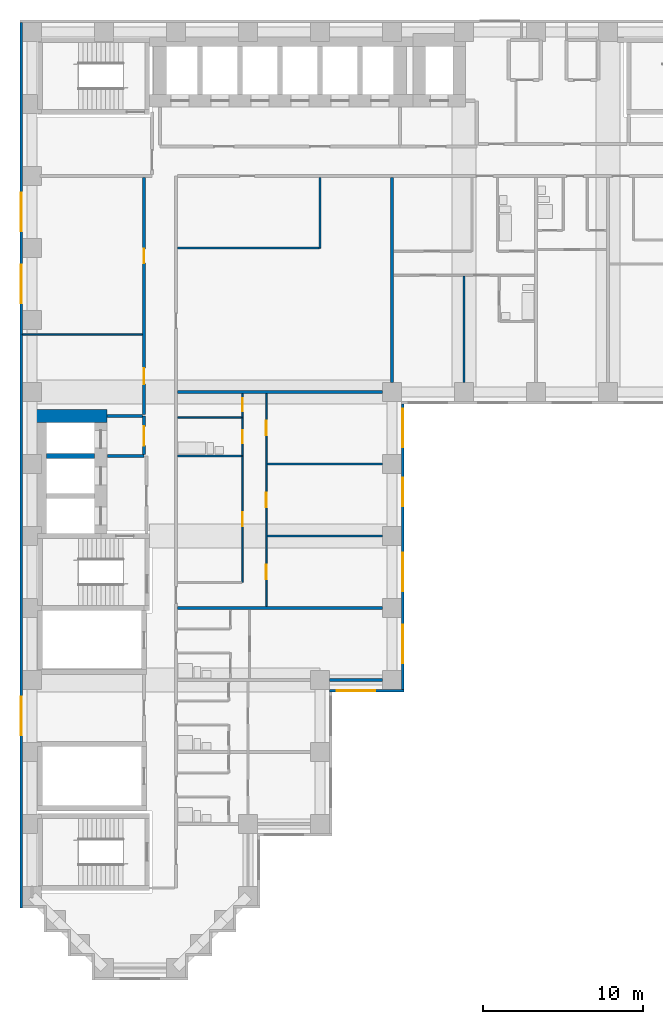
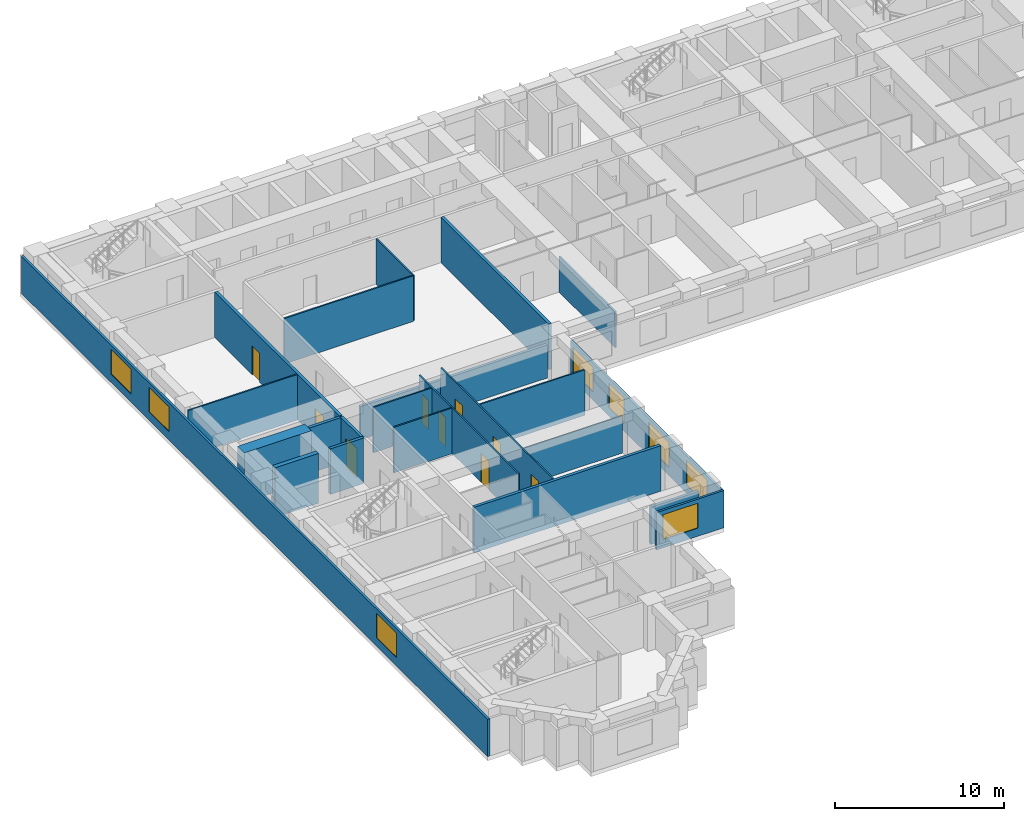
# One storey, part 4 of 11: 23 walls, 9 doors, 8 windows, 17 openings.
"""IFC4 building model written with IfcOpenShell, lengths in metres."""

from ifc_helpers import new_model, si_unit, direction, frame, frame_2d, origin, place, context, subcontext, project, spatial, rectangle, extrude, material, layer, layer_set, type_object, element, fill, save


model = new_model("IFC4")

# Units and contexts
model_context = context("Model", 3, precision=1e-05, world=origin(), true_north=direction((0.0, 1.0)))
body_context = subcontext(model_context, "Body", "Model", "MODEL_VIEW")
ifc_project = project(units=[si_unit("LENGTHUNIT", "METRE"), si_unit("AREAUNIT", "SQUARE_METRE"), si_unit("VOLUMEUNIT", "CUBIC_METRE"), si_unit("PLANEANGLEUNIT", "RADIAN"), si_unit("MASSUNIT", "GRAM", prefix="KILO")], contexts=[model_context])

# Site, building, storey
site_placement = place(None, origin())
site = spatial("IfcSite", under=ifc_project, at=site_placement, CompositionType="ELEMENT")
building_placement = place(site_placement, origin())
building = spatial("IfcBuilding", under=site, at=building_placement, Name="Firuza Court", CompositionType="ELEMENT")
storey_placement = place(building_placement, frame((0.0, 0.0, 79.39990234375)))
storey = spatial("IfcBuildingStorey", under=building, at=storey_placement, Name="L19", CompositionType="ELEMENT", Elevation=79.39990234375)

# Walls
ifc_material_1 = material(Name="Moisture-resistant gypsum board partition")
ifc_layer_1 = layer(ifc_material_1, 0.10009765625)
ifc_layer_set_1 = layer_set([ifc_layer_1], Name="Moisture-resistant gypsum board partition")
wall_type_1 = type_object("IfcWallType", Name="Bathroom partition 100", PredefinedType="PLUMBINGWALL", material=ifc_layer_set_1)
for number, where, z_axis, x_axis, name in (
    (1, (9.10009765625, 32.0, 0.0), (0.0, 0.0, 1.0), (1.0, 0.0, 0.0), "Bathroom partition 100 L19"),
    (2, (9.10009765625, 34.39990234375, 0.0), (0.0, 0.0, 1.0), (1.0, 0.0, 0.0), "Bathroom partition 100 L19"),
):
    element("IfcWall", number, at=place(storey_placement, frame(where, z_axis=z_axis, x_axis=x_axis)), inside=storey, type_object=wall_type_1, Name=name, PredefinedType="PLUMBINGWALL", context=body_context, shape_type="SweptSolid", body=[
        extrude(rectangle(XDim=4.0, YDim=0.10009765625, at=frame_2d((2.0, 0.0))), origin(), (0.0, 0.0, 1.0), 3.300048828125),
    ])
ifc_material_2 = material(Name="Concrete C60/75", Category="concrete")
ifc_layer_2 = layer(ifc_material_2, 0.300048828125)
ifc_layer_set_2 = layer_set([ifc_layer_2], Name="Concrete C60/75")
wall_type_2 = type_object("IfcWallType", Name="Core wall 300 C60/75", PredefinedType="SHEAR", material=ifc_layer_set_2)
wall_1_placement = place(storey_placement, frame((0.89990234375, 32.0, -0.2998046875), z_axis=(0.0, 0.0, 1.0), x_axis=(1.0, 0.0, 0.0)))
element("IfcWall", 3, at=wall_1_placement, inside=storey, type_object=wall_type_2, Name="Core wall lift shaft L19", PredefinedType="SHEAR", context=body_context, shape_type="SweptSolid", body=[
    extrude(rectangle(XDim=3.0, YDim=0.300048828125, at=frame_2d((1.5, 0.0))), origin(), (0.0, 0.0, 1.0), 3.599853515625),
])
ifc_layer_3 = layer(ifc_material_2, 0.800048828125)
ifc_layer_set_3 = layer_set([ifc_layer_3], Name="Concrete C60/75")
wall_type_3 = type_object("IfcWallType", Name="Core wall 800 C60/75", PredefinedType="SHEAR", material=ifc_layer_set_3)
wall_2_placement = place(storey_placement, frame((0.10009765625, 34.5, -0.2998046875), z_axis=(0.0, 0.0, 1.0), x_axis=(1.0, 0.0, 0.0)))
element("IfcWall", 4, at=wall_2_placement, inside=storey, type_object=wall_type_3, Name="Core wall lift shaft L19", PredefinedType="SHEAR", context=body_context, shape_type="SweptSolid", body=[
    extrude(rectangle(XDim=4.599853515625, YDim=0.800048828125, at=frame_2d((2.2998046875, 0.0))), origin(), (0.0, 0.0, 1.0), 3.599853515625),
])

# Wall, openings, doors
ifc_material_3 = material(Name="Blockwork, plastered both sides", Category="masonry")
ifc_layer_4 = layer(ifc_material_3, 0.199951171875)
ifc_layer_set_4 = layer_set([ifc_layer_4], Name="Blockwork, plastered both sides")
wall_type_4 = type_object("IfcWallType", Name="Corridor wall 200", PredefinedType="PARTITIONING", material=ifc_layer_set_4)
wall_3_placement = place(storey_placement, frame((7.0, 34.60009765625, 0.0), z_axis=(0.0, 0.0, 1.0), x_axis=(0.0, 1.0, 0.0)))
wall_3 = element("IfcWall", 5, at=wall_3_placement, inside=storey, type_object=wall_type_4, Name="Corridor wall 200 L19", PredefinedType="PARTITIONING", context=body_context, shape_type="SweptSolid", body=[
    extrude(rectangle(XDim=14.7998046875, YDim=0.199951171875, at=frame_2d((7.39990234375, 0.0))), origin(), (0.0, 0.0, 1.0), 3.300048828125),
])
opening_1_placement = place(wall_3_placement, frame((1.89990234375, 0.0, 0.0)))
opening_1 = element("IfcOpeningElement", 6, at=opening_1_placement, cuts=wall_3, Name="Opening D19041", PredefinedType="OPENING", context=body_context, shape_type="SweptSolid", body=[
    extrude(rectangle(XDim=1.0, YDim=2.10009765625, at=frame_2d((0.5, 1.050048828125))), frame((0.0, 0.11181640625, 0.0), z_axis=(0.0, -1.0, 0.0), x_axis=(1.0, 0.0, 0.0)), (0.0, 0.0, 1.0), 0.223876953125),
])
opening_2_placement = place(wall_3_placement, frame((9.449951171875, 0.0, 0.0)))
opening_2 = element("IfcOpeningElement", 7, at=opening_2_placement, cuts=wall_3, Name="Opening D19042", PredefinedType="OPENING", context=body_context, shape_type="SweptSolid", body=[
    extrude(rectangle(XDim=0.89990234375, YDim=2.10009765625, at=frame_2d((0.449951171875, 1.050048828125))), frame((0.0, 0.11181640625, 0.0), z_axis=(0.0, -1.0, 0.0), x_axis=(1.0, 0.0, 0.0)), (0.0, 0.0, 1.0), 0.223876953125),
])
ifc_material_4 = material(Name="Timber door leaf in hardwood frame", Category="wood")
door_type_1 = type_object("IfcDoorType", Name="Room door 900 EI 30", OperationType="SINGLE_SWING_LEFT", PredefinedType="DOOR", material=ifc_material_4)
door_1_placement = place(opening_2_placement, origin())
door_1 = element("IfcDoor", 8, at=door_1_placement, inside=storey, type_object=door_type_1, Name="Residents' workroom door", OperationType="SINGLE_SWING_RIGHT", OverallHeight=2.10009765625, OverallWidth=0.89990234375, PredefinedType="DOOR", context=body_context, shape_type="SweptSolid", body=[
    extrude(rectangle(XDim=0.89990234375, YDim=2.10009765625, at=frame_2d((0.449951171875, 1.050048828125))), frame((0.0, 0.02490234375, 0.0), z_axis=(0.0, -1.0, 0.0), x_axis=(1.0, 0.0, 0.0)), (0.0, 0.0, 1.0), 0.050048828125),
])
fill(opening_2, door_1)
ifc_material_5 = material(Name="Timber door leaf in hardwood frame", Category="wood")
door_type_2 = type_object("IfcDoorType", Name="Store door 1000", OperationType="SINGLE_SWING_LEFT", PredefinedType="DOOR", material=ifc_material_5)
door_2_placement = place(opening_1_placement, origin())
door_2 = element("IfcDoor", 9, at=door_2_placement, inside=storey, type_object=door_type_2, Name="Valet store door", OperationType="SINGLE_SWING_LEFT", OverallHeight=2.10009765625, OverallWidth=1.0, PredefinedType="DOOR", context=body_context, shape_type="SweptSolid", body=[
    extrude(rectangle(XDim=1.0, YDim=2.10009765625, at=frame_2d((0.5, 1.050048828125))), frame((0.0, 0.02490234375, 0.0), z_axis=(0.0, -1.0, 0.0), x_axis=(1.0, 0.0, 0.0)), (0.0, 0.0, 1.0), 0.050048828125),
])
fill(opening_1, door_2)

ifc_material_6 = material(Name="Timber stud partition, plasterboard both sides", Category="wood")
ifc_layer_5 = layer(ifc_material_6, 0.10009765625)
ifc_layer_set_5 = layer_set([ifc_layer_5], Name="Timber stud partition, plasterboard both sides")
wall_type_5 = type_object("IfcWallType", Name="Partition wall 100", PredefinedType="PARTITIONING", material=ifc_layer_set_5)
wall_4_placement = place(storey_placement, frame((14.64990234375, 22.60009765625, 0.0), z_axis=(0.0, 0.0, 1.0), x_axis=(0.0, 1.0, 0.0)))
wall_4 = element("IfcWall", 10, at=wall_4_placement, inside=storey, type_object=wall_type_5, Name="Partition wall 100 L19", PredefinedType="PARTITIONING", context=body_context, shape_type="SweptSolid", body=[
    extrude(rectangle(XDim=13.2998046875, YDim=0.10009765625, at=frame_2d((6.64990234375, 0.0))), origin(), (0.0, 0.0, 1.0), 3.300048828125),
])
opening_3_placement = place(wall_4_placement, frame((1.699951171875, 0.0, 0.0)))
opening_3 = element("IfcOpeningElement", 11, at=opening_3_placement, cuts=wall_4, Name="Opening D19035", PredefinedType="OPENING", context=body_context, shape_type="SweptSolid", body=[
    extrude(rectangle(XDim=0.89990234375, YDim=2.10009765625, at=frame_2d((0.449951171875, 1.050048828125))), frame((0.0, 0.06201171875, 0.0), z_axis=(0.0, -1.0, 0.0), x_axis=(1.0, 0.0, 0.0)), (0.0, 0.0, 1.0), 0.1240234375),
])
opening_4_placement = place(wall_4_placement, frame((6.199951171875, 0.0, 0.0)))
opening_4 = element("IfcOpeningElement", 12, at=opening_4_placement, cuts=wall_4, Name="Opening D19036", PredefinedType="OPENING", context=body_context, shape_type="SweptSolid", body=[
    extrude(rectangle(XDim=0.89990234375, YDim=2.10009765625, at=frame_2d((0.449951171875, 1.050048828125))), frame((0.0, 0.06201171875, 0.0), z_axis=(0.0, -1.0, 0.0), x_axis=(1.0, 0.0, 0.0)), (0.0, 0.0, 1.0), 0.1240234375),
])
opening_5_placement = place(wall_4_placement, frame((10.699951171875, 0.0, 0.0)))
opening_5 = element("IfcOpeningElement", 13, at=opening_5_placement, cuts=wall_4, Name="Opening D19037", PredefinedType="OPENING", context=body_context, shape_type="SweptSolid", body=[
    extrude(rectangle(XDim=0.89990234375, YDim=2.10009765625, at=frame_2d((0.449951171875, 1.050048828125))), frame((0.0, 0.06201171875, 0.0), z_axis=(0.0, -1.0, 0.0), x_axis=(1.0, 0.0, 0.0)), (0.0, 0.0, 1.0), 0.1240234375),
])
ifc_material_7 = material(Name="Timber door leaf in hardwood frame", Category="wood")
door_type_3 = type_object("IfcDoorType", Name="Room door 900", OperationType="SINGLE_SWING_LEFT", PredefinedType="DOOR", material=ifc_material_7)
door_3_placement = place(opening_3_placement, frame((0.89990234375, 0.0, 0.0), z_axis=(0.0, 0.0, 1.0), x_axis=(-1.0, 0.0, 0.0)))
door_3 = element("IfcDoor", 14, at=door_3_placement, inside=storey, type_object=door_type_3, Name="Living room door", OperationType="SINGLE_SWING_RIGHT", OverallHeight=2.10009765625, OverallWidth=0.89990234375, PredefinedType="DOOR", context=body_context, shape_type="SweptSolid", body=[
    extrude(rectangle(XDim=0.89990234375, YDim=2.10009765625, at=frame_2d((0.449951171875, 1.050048828125))), frame((0.0, 0.02490234375, 0.0), z_axis=(0.0, -1.0, 0.0), x_axis=(1.0, 0.0, 0.0)), (0.0, 0.0, 1.0), 0.050048828125),
])
fill(opening_3, door_3)
door_4_placement = place(opening_4_placement, frame((0.89990234375, 0.0, 0.0), z_axis=(0.0, 0.0, 1.0), x_axis=(-1.0, 0.0, 0.0)))
door_4 = element("IfcDoor", 15, at=door_4_placement, inside=storey, type_object=door_type_3, Name="Bedroom door", OperationType="SINGLE_SWING_RIGHT", OverallHeight=2.10009765625, OverallWidth=0.89990234375, PredefinedType="DOOR", context=body_context, shape_type="SweptSolid", body=[
    extrude(rectangle(XDim=0.89990234375, YDim=2.10009765625, at=frame_2d((0.449951171875, 1.050048828125))), frame((0.0, 0.02490234375, 0.0), z_axis=(0.0, -1.0, 0.0), x_axis=(1.0, 0.0, 0.0)), (0.0, 0.0, 1.0), 0.050048828125),
])
fill(opening_4, door_4)
door_5_placement = place(opening_5_placement, frame((0.89990234375, 0.0, 0.0), z_axis=(0.0, 0.0, 1.0), x_axis=(-1.0, 0.0, 0.0)))
door_5 = element("IfcDoor", 16, at=door_5_placement, inside=storey, type_object=door_type_3, Name="Bedroom door", OperationType="SINGLE_SWING_RIGHT", OverallHeight=2.10009765625, OverallWidth=0.89990234375, PredefinedType="DOOR", context=body_context, shape_type="SweptSolid", body=[
    extrude(rectangle(XDim=0.89990234375, YDim=2.10009765625, at=frame_2d((0.449951171875, 1.050048828125))), frame((0.0, 0.02490234375, 0.0), z_axis=(0.0, -1.0, 0.0), x_axis=(1.0, 0.0, 0.0)), (0.0, 0.0, 1.0), 0.050048828125),
])
fill(opening_5, door_5)

wall_5_placement = place(storey_placement, frame((13.14990234375, 24.10009765625, 0.0), z_axis=(0.0, 0.0, 1.0), x_axis=(0.0, 1.0, 0.0)))
wall_5 = element("IfcWall", 17, at=wall_5_placement, inside=storey, type_object=wall_type_5, Name="Partition wall 100 L19", PredefinedType="PARTITIONING", context=body_context, shape_type="SweptSolid", body=[
    extrude(rectangle(XDim=11.7998046875, YDim=0.10009765625, at=frame_2d((5.89990234375, 0.0))), origin(), (0.0, 0.0, 1.0), 3.300048828125),
])
opening_6_placement = place(wall_5_placement, frame((8.699951171875, 0.0, 0.0)))
opening_6 = element("IfcOpeningElement", 18, at=opening_6_placement, cuts=wall_5, Name="Opening D19038", PredefinedType="OPENING", context=body_context, shape_type="SweptSolid", body=[
    extrude(rectangle(XDim=0.800048828125, YDim=2.10009765625, at=frame_2d((0.39990234375, 1.050048828125))), frame((0.0, 0.06201171875, 0.0), z_axis=(0.0, -1.0, 0.0), x_axis=(1.0, 0.0, 0.0)), (0.0, 0.0, 1.0), 0.1240234375),
])
opening_7_placement = place(wall_5_placement, frame((3.5, 0.0, 0.0)))
opening_7 = element("IfcOpeningElement", 19, at=opening_7_placement, cuts=wall_5, Name="Opening D19039", PredefinedType="OPENING", context=body_context, shape_type="SweptSolid", body=[
    extrude(rectangle(XDim=0.89990234375, YDim=2.10009765625, at=frame_2d((0.449951171875, 1.050048828125))), frame((0.0, 0.06201171875, 0.0), z_axis=(0.0, -1.0, 0.0), x_axis=(1.0, 0.0, 0.0)), (0.0, 0.0, 1.0), 0.1240234375),
])
opening_8_placement = place(wall_5_placement, frame((10.699951171875, 0.0, 0.0)))
opening_8 = element("IfcOpeningElement", 20, at=opening_8_placement, cuts=wall_5, Name="Opening D19040", PredefinedType="OPENING", context=body_context, shape_type="SweptSolid", body=[
    extrude(rectangle(XDim=0.800048828125, YDim=2.10009765625, at=frame_2d((0.39990234375, 1.050048828125))), frame((0.0, 0.06201171875, 0.0), z_axis=(0.0, -1.0, 0.0), x_axis=(1.0, 0.0, 0.0)), (0.0, 0.0, 1.0), 0.1240234375),
])
ifc_material_8 = material(Name="Timber door leaf in hardwood frame", Category="wood")
door_type_4 = type_object("IfcDoorType", Name="Bathroom door 800", OperationType="SINGLE_SWING_LEFT", PredefinedType="DOOR", material=ifc_material_8)
door_6_placement = place(opening_6_placement, origin())
door_6 = element("IfcDoor", 21, at=door_6_placement, inside=storey, type_object=door_type_4, Name="Bathroom door", OperationType="SINGLE_SWING_LEFT", OverallHeight=2.10009765625, OverallWidth=0.800048828125, PredefinedType="DOOR", context=body_context, shape_type="SweptSolid", body=[
    extrude(rectangle(XDim=0.800048828125, YDim=2.10009765625, at=frame_2d((0.39990234375, 1.050048828125))), frame((0.0, 0.02490234375, 0.0), z_axis=(0.0, -1.0, 0.0), x_axis=(1.0, 0.0, 0.0)), (0.0, 0.0, 1.0), 0.050048828125),
])
fill(opening_6, door_6)
ifc_material_9 = material(Name="Timber door leaf in hardwood frame", Category="wood")
door_type_5 = type_object("IfcDoorType", Name="Room door 800", OperationType="SINGLE_SWING_LEFT", PredefinedType="DOOR", material=ifc_material_9)
door_7_placement = place(opening_8_placement, origin())
door_7 = element("IfcDoor", 22, at=door_7_placement, inside=storey, type_object=door_type_5, Name="Store door", OperationType="SINGLE_SWING_LEFT", OverallHeight=2.10009765625, OverallWidth=0.800048828125, PredefinedType="DOOR", context=body_context, shape_type="SweptSolid", body=[
    extrude(rectangle(XDim=0.800048828125, YDim=2.10009765625, at=frame_2d((0.39990234375, 1.050048828125))), frame((0.0, 0.02490234375, 0.0), z_axis=(0.0, -1.0, 0.0), x_axis=(1.0, 0.0, 0.0)), (0.0, 0.0, 1.0), 0.050048828125),
])
fill(opening_8, door_7)
door_8_placement = place(opening_7_placement, origin())
door_8 = element("IfcDoor", 23, at=door_8_placement, inside=storey, type_object=door_type_3, Name="Kitchen door", OperationType="SINGLE_SWING_LEFT", OverallHeight=2.10009765625, OverallWidth=0.89990234375, PredefinedType="DOOR", context=body_context, shape_type="SweptSolid", body=[
    extrude(rectangle(XDim=0.89990234375, YDim=2.10009765625, at=frame_2d((0.449951171875, 1.050048828125))), frame((0.0, 0.02490234375, 0.0), z_axis=(0.0, -1.0, 0.0), x_axis=(1.0, 0.0, 0.0)), (0.0, 0.0, 1.0), 0.050048828125),
])
fill(opening_7, door_8)

# Walls
wall_6_placement = place(storey_placement, frame((14.699951171875, 27.0, 0.0), z_axis=(0.0, 0.0, 1.0), x_axis=(1.0, 0.0, 0.0)))
element("IfcWall", 24, at=wall_6_placement, inside=storey, type_object=wall_type_5, Name="Partition wall 100 L19", PredefinedType="PARTITIONING", context=body_context, shape_type="SweptSolid", body=[
    extrude(rectangle(XDim=7.199951171875, YDim=0.10009765625, at=frame_2d((3.60009765625, 0.0))), origin(), (0.0, 0.0, 1.0), 2.7001953125),
])
wall_7_placement = place(storey_placement, frame((14.699951171875, 31.5, 0.0), z_axis=(0.0, 0.0, 1.0), x_axis=(1.0, 0.0, 0.0)))
element("IfcWall", 25, at=wall_7_placement, inside=storey, type_object=wall_type_5, Name="Partition wall 100 L19", PredefinedType="PARTITIONING", context=body_context, shape_type="SweptSolid", body=[
    extrude(rectangle(XDim=7.199951171875, YDim=0.10009765625, at=frame_2d((3.60009765625, 0.0))), origin(), (0.0, 0.0, 1.0), 3.300048828125),
])
wall_8_placement = place(storey_placement, frame((27.0, 36.60009765625, 0.0), z_axis=(0.0, 0.0, 1.0), x_axis=(0.0, 1.0, 0.0)))
element("IfcWall", 26, at=wall_8_placement, inside=storey, type_object=wall_type_5, Name="Partition wall 100 L19", PredefinedType="PARTITIONING", context=body_context, shape_type="SweptSolid", body=[
    extrude(rectangle(XDim=6.64990234375, YDim=0.10009765625, at=frame_2d((3.324951171875, 0.0))), origin(), (0.0, 0.0, 1.0), 2.60009765625),
])
wall_9_placement = place(storey_placement, frame((-0.60009765625, 39.60009765625, 0.0), z_axis=(0.0, 0.0, 1.0), x_axis=(1.0, 0.0, 0.0)))
element("IfcWall", 27, at=wall_9_placement, inside=storey, type_object=wall_type_5, Name="Partition wall 100 L19", PredefinedType="PARTITIONING", context=body_context, shape_type="SweptSolid", body=[
    extrude(rectangle(XDim=7.5, YDim=0.10009765625, at=frame_2d((3.75, 0.0))), origin(), (0.0, 0.0, 1.0), 3.300048828125),
])
wall_10_placement = place(storey_placement, frame((9.10009765625, 45.0, 0.0), z_axis=(0.0, 0.0, 1.0), x_axis=(1.0, 0.0, 0.0)))
element("IfcWall", 28, at=wall_10_placement, inside=storey, type_object=wall_type_5, Name="Partition wall 100 L19", PredefinedType="PARTITIONING", context=body_context, shape_type="SweptSolid", body=[
    extrude(rectangle(XDim=8.849853515625, YDim=0.10009765625, at=frame_2d((4.4248046875, 0.0))), origin(), (0.0, 0.0, 1.0), 3.300048828125),
])
wall_11_placement = place(storey_placement, frame((18.0, 45.0, 0.0), z_axis=(0.0, 0.0, 1.0), x_axis=(0.0, 1.0, 0.0)))
element("IfcWall", 29, at=wall_11_placement, inside=storey, type_object=wall_type_5, Name="Partition wall 100 L19", PredefinedType="PARTITIONING", context=body_context, shape_type="SweptSolid", body=[
    extrude(rectangle(XDim=4.39990234375, YDim=0.10009765625, at=frame_2d((2.199951171875, 0.0))), origin(), (0.0, 0.0, 1.0), 3.300048828125),
])
ifc_layer_6 = layer(ifc_material_3, 0.199951171875)
ifc_layer_set_6 = layer_set([ifc_layer_6], Name="Blockwork, plastered both sides")
wall_type_6 = type_object("IfcWallType", Name="Party wall 200", PredefinedType="PARTITIONING", material=ifc_layer_set_6)
wall_12_placement = place(storey_placement, frame((18.60009765625, 18.0, 0.0), z_axis=(0.0, 0.0, 1.0), x_axis=(1.0, 0.0, 0.0)))
element("IfcWall", 30, at=wall_12_placement, inside=storey, type_object=wall_type_6, Name="Party wall 200 L19", PredefinedType="PARTITIONING", context=body_context, shape_type="SweptSolid", body=[
    extrude(rectangle(XDim=3.2998046875, YDim=0.199951171875, at=frame_2d((1.64990234375, 0.0))), origin(), (0.0, 0.0, 1.0), 2.7001953125),
])
wall_13_placement = place(storey_placement, frame((9.10009765625, 22.5, 0.0), z_axis=(0.0, 0.0, 1.0), x_axis=(1.0, 0.0, 0.0)))
element("IfcWall", 31, at=wall_13_placement, inside=storey, type_object=wall_type_6, Name="Party wall 200 L19", PredefinedType="PARTITIONING", context=body_context, shape_type="SweptSolid", body=[
    extrude(rectangle(XDim=12.7998046875, YDim=0.199951171875, at=frame_2d((6.39990234375, 0.0))), origin(), (0.0, 0.0, 1.0), 3.300048828125),
])
wall_14_placement = place(storey_placement, frame((9.10009765625, 36.0, 0.0), z_axis=(0.0, 0.0, 1.0), x_axis=(1.0, 0.0, 0.0)))
element("IfcWall", 32, at=wall_14_placement, inside=storey, type_object=wall_type_6, Name="Party wall 200 L19", PredefinedType="PARTITIONING", context=body_context, shape_type="SweptSolid", body=[
    extrude(rectangle(XDim=12.7998046875, YDim=0.199951171875, at=frame_2d((6.39990234375, 0.0))), origin(), (0.0, 0.0, 1.0), 2.400146484375),
])
wall_15_placement = place(storey_placement, frame((22.5, 36.60009765625, 0.0), z_axis=(0.0, 0.0, 1.0), x_axis=(0.0, 1.0, 0.0)))
element("IfcWall", 33, at=wall_15_placement, inside=storey, type_object=wall_type_6, Name="Party wall 200 L19", PredefinedType="PARTITIONING", context=body_context, shape_type="SweptSolid", body=[
    extrude(rectangle(XDim=12.7998046875, YDim=0.199951171875, at=frame_2d((6.39990234375, 0.0))), origin(), (0.0, 0.0, 1.0), 3.300048828125),
])

# Wall, opening, window
ifc_material_10 = material(Name="Ceramic tile", Category="ceramic")
ifc_layer_7 = layer(ifc_material_10, 0.02001953125)
ifc_material_11 = material(Name="Mineral wool insulation", Category="insulation")
ifc_layer_8 = layer(ifc_material_11, 0.050048828125)
ifc_material_12 = material(Name="Concrete C40/50 precast", Category="concrete")
ifc_layer_9 = layer(ifc_material_12, 0.080078125)
ifc_layer_set_7 = layer_set([ifc_layer_7, ifc_layer_8, ifc_layer_9], Name="Concrete C40/50 precast")
wall_type_7 = type_object("IfcWallType", Name="Precast cladding wall with turquoise TILE PANEL face 150", PredefinedType="STANDARD", material=ifc_layer_set_7)
wall_16_placement = place(storey_placement, frame((18.60009765625, 17.324951171875, 0.0), z_axis=(0.0, 0.0, 1.0), x_axis=(1.0, 0.0, 0.0)))
wall_16 = element("IfcWall", 34, at=wall_16_placement, inside=storey, type_object=wall_type_7, Name="Facade wall L19 S", PredefinedType="STANDARD", context=body_context, shape_type="SweptSolid", body=[
    extrude(rectangle(XDim=4.64990234375, YDim=0.14990234375, at=frame_2d((2.324951171875, 0.0))), origin(), (0.0, 0.0, 1.0), 2.7001953125),
])
opening_9_placement = place(wall_16_placement, frame((0.449951171875, 0.0, 0.60009765625)))
opening_9 = element("IfcOpeningElement", 35, at=opening_9_placement, cuts=wall_16, Name="Opening W1", PredefinedType="OPENING", context=body_context, shape_type="SweptSolid", body=[
    extrude(rectangle(XDim=2.39990234375, YDim=1.800048828125, at=frame_2d((1.199951171875, 0.89990234375))), frame((0.0, 0.0869140625, 0.0), z_axis=(0.0, -1.0, 0.0), x_axis=(1.0, 0.0, 0.0)), (0.0, 0.0, 1.0), 0.173828125),
])
ifc_material_13 = material(Name="Aluminium frame, triple clear glazing", Category="aluminium")
window_type_1 = type_object("IfcWindowType", Name="Window W1 2400 x 1800", PartitioningType="SINGLE_PANEL", PredefinedType="WINDOW", material=ifc_material_13)
window_1_placement = place(opening_9_placement, origin())
window_1 = element("IfcWindow", 36, at=window_1_placement, inside=storey, type_object=window_type_1, Name="Window L19", OverallHeight=1.800048828125, OverallWidth=2.39990234375, PartitioningType="SINGLE_PANEL", PredefinedType="WINDOW", context=body_context, shape_type="SweptSolid", body=[
    extrude(rectangle(XDim=2.39990234375, YDim=1.800048828125, at=frame_2d((1.199951171875, 0.89990234375))), frame((0.0, 0.030029296875, 0.0), z_axis=(0.0, -1.0, 0.0), x_axis=(1.0, 0.0, 0.0)), (0.0, 0.0, 1.0), 0.06005859375),
])
fill(opening_9, window_1)

# Wall, openings, windows
wall_17_placement = place(storey_placement, frame((23.175048828125, 17.39990234375, 0.0), z_axis=(0.0, 0.0, 1.0), x_axis=(0.0, 1.0, 0.0)))
wall_17 = element("IfcWall", 37, at=wall_17_placement, inside=storey, type_object=wall_type_7, Name="Facade wall L19 E", PredefinedType="STANDARD", context=body_context, shape_type="SweptSolid", body=[
    extrude(rectangle(XDim=17.85009765625, YDim=0.14990234375, at=frame_2d((8.925048828125, 0.0))), origin(), (0.0, 0.0, 1.0), 2.7001953125),
])
opening_10_placement = place(wall_17_placement, frame((1.64990234375, 0.0, 0.60009765625)))
opening_10 = element("IfcOpeningElement", 38, at=opening_10_placement, cuts=wall_17, Name="Opening W1", PredefinedType="OPENING", context=body_context, shape_type="SweptSolid", body=[
    extrude(rectangle(XDim=2.39990234375, YDim=1.800048828125, at=frame_2d((1.199951171875, 0.89990234375))), frame((0.0, 0.0869140625, 0.0), z_axis=(0.0, -1.0, 0.0), x_axis=(1.0, 0.0, 0.0)), (0.0, 0.0, 1.0), 0.173828125),
])
opening_11_placement = place(wall_17_placement, frame((6.14990234375, 0.0, 0.60009765625)))
opening_11 = element("IfcOpeningElement", 39, at=opening_11_placement, cuts=wall_17, Name="Opening W1", PredefinedType="OPENING", context=body_context, shape_type="SweptSolid", body=[
    extrude(rectangle(XDim=2.39990234375, YDim=1.800048828125, at=frame_2d((1.199951171875, 0.89990234375))), frame((0.0, 0.0869140625, 0.0), z_axis=(0.0, -1.0, 0.0), x_axis=(1.0, 0.0, 0.0)), (0.0, 0.0, 1.0), 0.173828125),
])
opening_12_placement = place(wall_17_placement, frame((11.447998046875, 0.0, 0.60009765625)))
opening_12 = element("IfcOpeningElement", 40, at=opening_12_placement, cuts=wall_17, Name="Opening W7", PredefinedType="OPENING", context=body_context, shape_type="SweptSolid", body=[
    extrude(rectangle(XDim=1.800048828125, YDim=1.800048828125, at=frame_2d((0.89990234375, 0.89990234375))), frame((0.0, 0.0869140625, 0.0), z_axis=(0.0, -1.0, 0.0), x_axis=(1.0, 0.0, 0.0)), (0.0, 0.0, 1.0), 0.173828125),
])
opening_13_placement = place(wall_17_placement, frame((15.14990234375, 0.0, 0.60009765625)))
opening_13 = element("IfcOpeningElement", 41, at=opening_13_placement, cuts=wall_17, Name="Opening W1", PredefinedType="OPENING", context=body_context, shape_type="SweptSolid", body=[
    extrude(rectangle(XDim=2.39990234375, YDim=1.800048828125, at=frame_2d((1.199951171875, 0.89990234375))), frame((0.0, 0.0869140625, 0.0), z_axis=(0.0, -1.0, 0.0), x_axis=(1.0, 0.0, 0.0)), (0.0, 0.0, 1.0), 0.173828125),
])
window_2_placement = place(opening_10_placement, origin())
window_2 = element("IfcWindow", 42, at=window_2_placement, inside=storey, type_object=window_type_1, Name="Window L19", OverallHeight=1.800048828125, OverallWidth=2.39990234375, PartitioningType="SINGLE_PANEL", PredefinedType="WINDOW", context=body_context, shape_type="SweptSolid", body=[
    extrude(rectangle(XDim=2.39990234375, YDim=1.800048828125, at=frame_2d((1.199951171875, 0.89990234375))), frame((0.0, 0.030029296875, 0.0), z_axis=(0.0, -1.0, 0.0), x_axis=(1.0, 0.0, 0.0)), (0.0, 0.0, 1.0), 0.06005859375),
])
fill(opening_10, window_2)
window_3_placement = place(opening_11_placement, origin())
window_3 = element("IfcWindow", 43, at=window_3_placement, inside=storey, type_object=window_type_1, Name="Window L19", OverallHeight=1.800048828125, OverallWidth=2.39990234375, PartitioningType="SINGLE_PANEL", PredefinedType="WINDOW", context=body_context, shape_type="SweptSolid", body=[
    extrude(rectangle(XDim=2.39990234375, YDim=1.800048828125, at=frame_2d((1.199951171875, 0.89990234375))), frame((0.0, 0.030029296875, 0.0), z_axis=(0.0, -1.0, 0.0), x_axis=(1.0, 0.0, 0.0)), (0.0, 0.0, 1.0), 0.06005859375),
])
fill(opening_11, window_3)
window_4_placement = place(opening_13_placement, origin())
window_4 = element("IfcWindow", 44, at=window_4_placement, inside=storey, type_object=window_type_1, Name="Window L19", OverallHeight=1.800048828125, OverallWidth=2.39990234375, PartitioningType="SINGLE_PANEL", PredefinedType="WINDOW", context=body_context, shape_type="SweptSolid", body=[
    extrude(rectangle(XDim=2.39990234375, YDim=1.800048828125, at=frame_2d((1.199951171875, 0.89990234375))), frame((0.0, 0.030029296875, 0.0), z_axis=(0.0, -1.0, 0.0), x_axis=(1.0, 0.0, 0.0)), (0.0, 0.0, 1.0), 0.06005859375),
])
fill(opening_13, window_4)
ifc_material_14 = material(Name="Aluminium frame, triple clear glazing", Category="aluminium")
window_type_2 = type_object("IfcWindowType", Name="Window W7 1800 x 1800", PartitioningType="SINGLE_PANEL", PredefinedType="WINDOW", material=ifc_material_14)
window_5_placement = place(opening_12_placement, origin())
window_5 = element("IfcWindow", 45, at=window_5_placement, inside=storey, type_object=window_type_2, Name="Window L19", OverallHeight=1.800048828125, OverallWidth=1.800048828125, PartitioningType="SINGLE_PANEL", PredefinedType="WINDOW", context=body_context, shape_type="SweptSolid", body=[
    extrude(rectangle(XDim=1.800048828125, YDim=1.800048828125, at=frame_2d((0.89990234375, 0.89990234375))), frame((0.0, 0.030029296875, 0.0), z_axis=(0.0, -1.0, 0.0), x_axis=(1.0, 0.0, 0.0)), (0.0, 0.0, 1.0), 0.06005859375),
])
fill(opening_12, window_5)

wall_18_placement = place(storey_placement, frame((-0.675048828125, 59.10009765625, 0.0), z_axis=(0.0, 0.0, 1.0), x_axis=(0.0, -1.0, 0.0)))
wall_18 = element("IfcWall", 46, at=wall_18_placement, inside=storey, type_object=wall_type_7, Name="Facade wall L19 W", PredefinedType="STANDARD", context=body_context, shape_type="SweptSolid", body=[
    extrude(rectangle(XDim=55.35009765625, YDim=0.14990234375, at=frame_2d((27.675048828125, 0.0))), origin(), (0.0, 0.0, 1.0), 2.7001953125),
])
opening_14_placement = place(wall_18_placement, frame((10.64990234375, 0.0, 0.60009765625)))
opening_14 = element("IfcOpeningElement", 47, at=opening_14_placement, cuts=wall_18, Name="Opening W1", PredefinedType="OPENING", context=body_context, shape_type="SweptSolid", body=[
    extrude(rectangle(XDim=2.39990234375, YDim=1.800048828125, at=frame_2d((1.199951171875, 0.89990234375))), frame((0.0, 0.0869140625, 0.0), z_axis=(0.0, -1.0, 0.0), x_axis=(1.0, 0.0, 0.0)), (0.0, 0.0, 1.0), 0.173828125),
])
opening_15_placement = place(wall_18_placement, frame((15.14990234375, 0.0, 0.60009765625)))
opening_15 = element("IfcOpeningElement", 48, at=opening_15_placement, cuts=wall_18, Name="Opening W1", PredefinedType="OPENING", context=body_context, shape_type="SweptSolid", body=[
    extrude(rectangle(XDim=2.39990234375, YDim=1.800048828125, at=frame_2d((1.199951171875, 0.89990234375))), frame((0.0, 0.0869140625, 0.0), z_axis=(0.0, -1.0, 0.0), x_axis=(1.0, 0.0, 0.0)), (0.0, 0.0, 1.0), 0.173828125),
])
opening_16_placement = place(wall_18_placement, frame((42.14990234375, 0.0, 0.60009765625)))
opening_16 = element("IfcOpeningElement", 49, at=opening_16_placement, cuts=wall_18, Name="Opening W1", PredefinedType="OPENING", context=body_context, shape_type="SweptSolid", body=[
    extrude(rectangle(XDim=2.39990234375, YDim=1.800048828125, at=frame_2d((1.199951171875, 0.89990234375))), frame((0.0, 0.0869140625, 0.0), z_axis=(0.0, -1.0, 0.0), x_axis=(1.0, 0.0, 0.0)), (0.0, 0.0, 1.0), 0.173828125),
])
window_6_placement = place(opening_14_placement, origin())
window_6 = element("IfcWindow", 50, at=window_6_placement, inside=storey, type_object=window_type_1, Name="Window L19", OverallHeight=1.800048828125, OverallWidth=2.39990234375, PartitioningType="SINGLE_PANEL", PredefinedType="WINDOW", context=body_context, shape_type="SweptSolid", body=[
    extrude(rectangle(XDim=2.39990234375, YDim=1.800048828125, at=frame_2d((1.199951171875, 0.89990234375))), frame((0.0, 0.030029296875, 0.0), z_axis=(0.0, -1.0, 0.0), x_axis=(1.0, 0.0, 0.0)), (0.0, 0.0, 1.0), 0.06005859375),
])
fill(opening_14, window_6)
window_7_placement = place(opening_15_placement, origin())
window_7 = element("IfcWindow", 51, at=window_7_placement, inside=storey, type_object=window_type_1, Name="Window L19", OverallHeight=1.800048828125, OverallWidth=2.39990234375, PartitioningType="SINGLE_PANEL", PredefinedType="WINDOW", context=body_context, shape_type="SweptSolid", body=[
    extrude(rectangle(XDim=2.39990234375, YDim=1.800048828125, at=frame_2d((1.199951171875, 0.89990234375))), frame((0.0, 0.030029296875, 0.0), z_axis=(0.0, -1.0, 0.0), x_axis=(1.0, 0.0, 0.0)), (0.0, 0.0, 1.0), 0.06005859375),
])
fill(opening_15, window_7)
window_8_placement = place(opening_16_placement, origin())
window_8 = element("IfcWindow", 52, at=window_8_placement, inside=storey, type_object=window_type_1, Name="Window L19", OverallHeight=1.800048828125, OverallWidth=2.39990234375, PartitioningType="SINGLE_PANEL", PredefinedType="WINDOW", context=body_context, shape_type="SweptSolid", body=[
    extrude(rectangle(XDim=2.39990234375, YDim=1.800048828125, at=frame_2d((1.199951171875, 0.89990234375))), frame((0.0, 0.030029296875, 0.0), z_axis=(0.0, -1.0, 0.0), x_axis=(1.0, 0.0, 0.0)), (0.0, 0.0, 1.0), 0.06005859375),
])
fill(opening_16, window_8)

# Wall
ifc_material_15 = material(Name="Blockwork, fire-rated", Category="masonry")
ifc_layer_10 = layer(ifc_material_15, 0.199951171875)
ifc_layer_set_8 = layer_set([ifc_layer_10], Name="Blockwork, fire-rated")
wall_type_8 = type_object("IfcWallType", Name="Shaft wall 200", PredefinedType="PARTITIONING", material=ifc_layer_set_8)
wall_19_placement = place(storey_placement, frame((4.719970703125, 32.0, 0.0), z_axis=(0.0, 0.0, 1.0), x_axis=(1.0, 0.0, 0.0)))
element("IfcWall", 53, at=wall_19_placement, inside=storey, type_object=wall_type_8, Name="Shaft wall 200 L19", PredefinedType="PARTITIONING", context=body_context, shape_type="SweptSolid", body=[
    extrude(rectangle(XDim=2.280029296875, YDim=0.199951171875, at=frame_2d((1.14013671875, 0.0))), origin(), (0.0, 0.0, 1.0), 3.300048828125),
])

# Wall, opening, door
wall_20_placement = place(storey_placement, frame((7.0, 32.10009765625, 0.0), z_axis=(0.0, 0.0, 1.0), x_axis=(0.0, 1.0, 0.0)))
wall_20 = element("IfcWall", 54, at=wall_20_placement, inside=storey, type_object=wall_type_8, Name="Shaft wall 200 L19", PredefinedType="PARTITIONING", context=body_context, shape_type="SweptSolid", body=[
    extrude(rectangle(XDim=2.39990234375, YDim=0.199951171875, at=frame_2d((1.199951171875, 0.0))), origin(), (0.0, 0.0, 1.0), 3.300048828125),
])
opening_17_placement = place(wall_20_placement, frame((0.550048828125, 0.0, 0.0)))
opening_17 = element("IfcOpeningElement", 55, at=opening_17_placement, cuts=wall_20, Name="Opening D19008", PredefinedType="OPENING", context=body_context, shape_type="SweptSolid", body=[
    extrude(rectangle(XDim=1.199951171875, YDim=2.10009765625, at=frame_2d((0.60009765625, 1.050048828125))), frame((0.0, 0.11181640625, 0.0), z_axis=(0.0, -1.0, 0.0), x_axis=(1.0, 0.0, 0.0)), (0.0, 0.0, 1.0), 0.223876953125),
])
ifc_material_16 = material(Name="Timber door leaf in hardwood frame", Category="wood")
door_type_6 = type_object("IfcDoorType", Name="Lobby door 1200", OperationType="SINGLE_SWING_LEFT", PredefinedType="DOOR", material=ifc_material_16)
door_9_placement = place(opening_17_placement, origin())
door_9 = element("IfcDoor", 56, at=door_9_placement, inside=storey, type_object=door_type_6, Name="Lobby door", OperationType="SINGLE_SWING_LEFT", OverallHeight=2.10009765625, OverallWidth=1.199951171875, PredefinedType="DOOR", context=body_context, shape_type="SweptSolid", body=[
    extrude(rectangle(XDim=1.199951171875, YDim=2.10009765625, at=frame_2d((0.60009765625, 1.050048828125))), frame((0.0, 0.02490234375, 0.0), z_axis=(0.0, -1.0, 0.0), x_axis=(1.0, 0.0, 0.0)), (0.0, 0.0, 1.0), 0.050048828125),
])
fill(opening_17, door_9)

# Wall
wall_21_placement = place(storey_placement, frame((4.699951171875, 34.5, 0.0), z_axis=(0.0, 0.0, 1.0), x_axis=(1.0, 0.0, 0.0)))
element("IfcWall", 57, at=wall_21_placement, inside=storey, type_object=wall_type_8, Name="Shaft wall 200 L19", PredefinedType="PARTITIONING", context=body_context, shape_type="SweptSolid", body=[
    extrude(rectangle(XDim=2.199951171875, YDim=0.199951171875, at=frame_2d((1.10009765625, 0.0))), origin(), (0.0, 0.0, 1.0), 3.300048828125),
])

save(model, "model.ifc")
